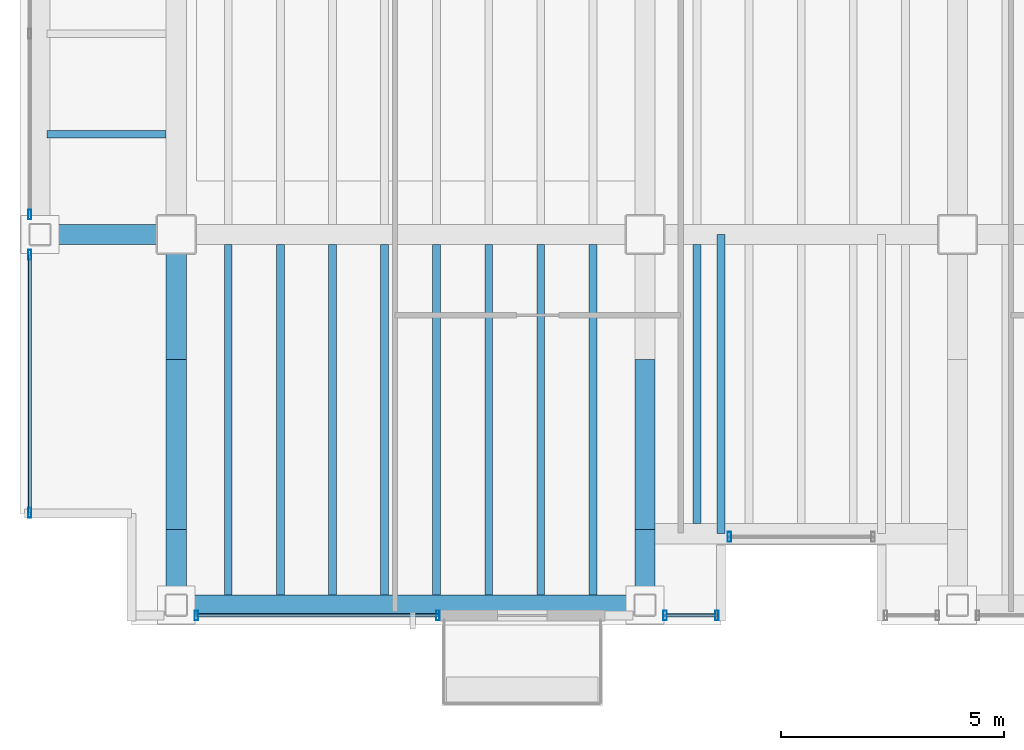
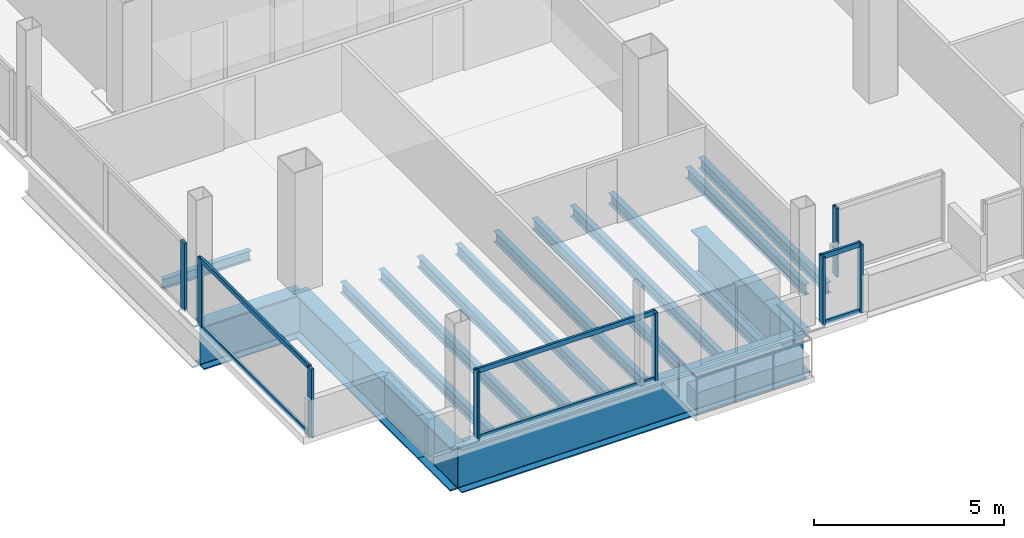
# One storey, part 2 of 17: 18 beams, 14 members, 5 elements without a shape of their own.
"""IFC4 building model written with IfcOpenShell, lengths in metres."""

import ifcopenshell
import ifcopenshell.guid

model = None  # the IFC model being written
_history = None  # IfcOwnerHistory: only IFC2X3 demands one
_inside = {}  # id of a spatial element -> (the spatial element, [elements in it])
_under = {}  # id of a project, library or spatial element -> (it, [spatial elements below it])
_declared = {}  # id of a project -> (the project, [libraries it declares])
_typed = {}  # id of a type object -> (the type object, [elements of that type])
_made_of = {}  # id of a material, layer set ... -> (it, [elements and type objects made of it])


def new_model(schema):
    """Start an empty IFC model of exactly this schema.

    Asked for "IFC4X3", IfcOpenShell would pick the latest addendum, in which some entities
    have other attributes; the version numbers below select the first issue.
    IFC2X3 requires an IfcOwnerHistory on every rooted entity: one is made here for all.
    """
    global model, _history
    if schema == "IFC4X3":
        model = ifcopenshell.file(schema_version=(4, 3, 0, 0))
    else:
        model = ifcopenshell.file(schema=schema)
    _inside.clear()
    _under.clear()
    _declared.clear()
    _typed.clear()
    _made_of.clear()
    _history = None
    if model.schema == "IFC2X3":
        org = make("IfcOrganization", Name="unknown")
        user = make(
            "IfcPersonAndOrganization",
            ThePerson=make("IfcPerson", FamilyName="unknown"),
            TheOrganization=org,
        )
        app = make(
            "IfcApplication",
            ApplicationDeveloper=org,
            Version="unknown",
            ApplicationFullName="unknown",
            ApplicationIdentifier="unknown",
        )
        _history = make(
            "IfcOwnerHistory",
            OwningUser=user,
            OwningApplication=app,
            ChangeAction="ADDED",
            CreationDate=0,
        )
    return model


def make(cls, **values):
    """One entity of the class cls with the attributes given. An attribute that is None is left unset."""
    return model.create_entity(
        cls, **{name: value for name, value in values.items() if value is not None}
    )


def rooted(cls, **values):
    """An entity with a GlobalId (a new one), such as an element, a storey or a relation."""
    return make(cls, GlobalId=ifcopenshell.guid.new(), OwnerHistory=_history, **values)


def si_unit(unit_type, name, prefix=None):
    """IfcSIUnit, for example si_unit("LENGTHUNIT", "METRE", prefix="MILLI")."""
    return make("IfcSIUnit", UnitType=unit_type, Prefix=prefix, Name=name)


def assignment(units):
    """IfcUnitAssignment: the units of a project."""
    return None if units is None else make("IfcUnitAssignment", Units=units)


def point(xyz):
    """IfcCartesianPoint."""
    return None if xyz is None else make("IfcCartesianPoint", Coordinates=xyz)


def direction(xyz):
    """IfcDirection."""
    return None if xyz is None else make("IfcDirection", DirectionRatios=xyz)


def frame(location, z_axis=None, x_axis=None):
    """IfcAxis2Placement3D, a coordinate frame: its origin and axes. An axis left out is left unset."""
    return make(
        "IfcAxis2Placement3D",
        Location=point(location),
        Axis=direction(z_axis),
        RefDirection=direction(x_axis),
    )


def frame_2d(location, x_axis=None):
    """IfcAxis2Placement2D, a coordinate frame in the plane: its origin and x axis."""
    return make(
        "IfcAxis2Placement2D", Location=point(location), RefDirection=direction(x_axis)
    )


def origin():
    """The frame at (0, 0, 0) with its axes left unset."""
    return frame((0.0, 0.0, 0.0))


def origin_2d():
    """The frame at (0, 0) in the plane with its x axis left unset."""
    return frame_2d((0.0, 0.0))


def place(relative_to, where):
    """IfcLocalPlacement: puts the frame where relative to a parent placement (None: the world)."""
    return make(
        "IfcLocalPlacement", PlacementRelTo=relative_to, RelativePlacement=where
    )


def context(
    kind, dimensions, precision=None, world=None, true_north=None, identifier=None
):
    """IfcGeometricRepresentationContext, for example the 3D "Model" context."""
    return make(
        "IfcGeometricRepresentationContext",
        ContextIdentifier=identifier,
        ContextType=kind,
        CoordinateSpaceDimension=dimensions,
        Precision=precision,
        WorldCoordinateSystem=world,
        TrueNorth=true_north,
    )


def subcontext(parent, identifier, kind, view, scale=None):
    """IfcGeometricRepresentationSubContext, for example "Body" below "Model"."""
    return make(
        "IfcGeometricRepresentationSubContext",
        ContextIdentifier=identifier,
        ContextType=kind,
        ParentContext=parent,
        TargetScale=scale,
        TargetView=view,
    )


def project(units=None, contexts=None):
    """IfcProject with its units and contexts."""
    return rooted(
        "IfcProject",
        Name="project",
        RepresentationContexts=contexts,
        UnitsInContext=assignment(units),
    )


def spatial(cls, under=None, at=None, **own):
    """A site, building, storey or space (cls), placed at a placement, below another one or the project."""
    s = rooted(cls, ObjectPlacement=at, **own)
    if under is not None:
        _under.setdefault(under.id(), (under, []))[1].append(s)
    return s


def profile(cls, at=None, kind="AREA", **sizes):
    """A parametric profile (cls). Its sizes go by their IFC names, for example OverallWidth=200.0."""
    return make(cls, ProfileType=kind, Position=at, **sizes)


def hollow_rectangle(**sizes):
    """IfcRectangleHollowProfileDef."""
    return profile("IfcRectangleHollowProfileDef", **sizes)


def i_section(**sizes):
    """IfcIShapeProfileDef."""
    return profile("IfcIShapeProfileDef", **sizes)


def extrude(swept, where, along, depth):
    """IfcExtrudedAreaSolid: the profile swept, set in the frame where, extruded along a direction by depth."""
    return make(
        "IfcExtrudedAreaSolid",
        SweptArea=swept,
        Position=where,
        ExtrudedDirection=direction(along),
        Depth=depth,
    )


def shape(context_of_items, identifier, shape_type, items):
    """IfcShapeRepresentation: the items that make up one representation, for example the "Body"."""
    return make(
        "IfcShapeRepresentation",
        ContextOfItems=context_of_items,
        RepresentationIdentifier=identifier,
        RepresentationType=shape_type,
        Items=items,
    )


def material(Name=None, Category=None):
    """IfcMaterial."""
    return make("IfcMaterial", Name=Name, Category=Category)


def material_profile(
    of_material, cross_section, Name=None, Category=None, Priority=None
):
    """IfcMaterialProfile: a cross section and its material."""
    return make(
        "IfcMaterialProfile",
        Name=Name,
        Material=of_material,
        Profile=cross_section,
        Priority=Priority,
        Category=Category,
    )


def profile_set(profiles, Name=None, composite=None):
    """IfcMaterialProfileSet."""
    return make(
        "IfcMaterialProfileSet",
        Name=Name,
        MaterialProfiles=profiles,
        CompositeProfile=composite,
    )


def made_of(thing, what):
    """Note that an element or type object is made of a material, layer set ...; save() writes the relation."""
    if what is not None:
        _made_of.setdefault(what.id(), (what, []))[1].append(thing)
    return thing


def type_object(cls, material=None, **own):
    """A type object (cls), such as IfcWallType, which elements share."""
    return made_of(rooted(cls, **own), material)


def element(
    cls,
    number,
    at=None,
    inside=None,
    cuts=None,
    type_object=None,
    material=None,
    context=None,
    identifier="Body",
    shape_type=None,
    held_by="IfcProductDefinitionShape",
    body=None,
    shapes=None,
    **own,
):
    """One element of the class cls, such as IfcWall. Its Tag is "e" and its number.

    at: its placement. inside: the storey or other place that contains it. cuts: it is an
    opening in that element (IfcRelVoidsElement). A single representation is given by context,
    identifier, shape_type and body (its items); several are given by shapes. held_by: the class
    of the entity that holds the representations. save() writes the other relations.
    """
    e = rooted(cls, Tag="e%d" % number, ObjectPlacement=at, **own)
    if body is not None:
        shapes = [shape(context, identifier, shape_type, body)]
    if shapes is not None:
        e.Representation = make(held_by, Representations=shapes)
    if inside is not None:
        _inside.setdefault(inside.id(), (inside, []))[1].append(e)
    if cuts is not None:
        rooted(
            "IfcRelVoidsElement", RelatingBuildingElement=cuts, RelatedOpeningElement=e
        )
    if type_object is not None:
        _typed.setdefault(type_object.id(), (type_object, []))[1].append(e)
    return made_of(e, material)


def aggregate(whole, parts):
    """IfcRelAggregates: a whole, such as a stair, and the parts it consists of."""
    return rooted("IfcRelAggregates", RelatingObject=whole, RelatedObjects=parts)


def save(model, path):
    """Write the relations noted so far, then the file.

    IfcRelAggregates (storeys below a building ...), IfcRelContainedInSpatialStructure (elements
    in a storey), IfcRelDefinesByType, IfcRelAssociatesMaterial and IfcRelDeclares: one each for
    every whole, place, type object, material and project.
    """
    for whole, parts in _under.values():
        aggregate(whole, parts)
    for where, things in _inside.values():
        rooted(
            "IfcRelContainedInSpatialStructure",
            RelatedElements=things,
            RelatingStructure=where,
        )
    for kind, things in _typed.values():
        rooted("IfcRelDefinesByType", RelatedObjects=things, RelatingType=kind)
    for what, things in _made_of.values():
        rooted("IfcRelAssociatesMaterial", RelatedObjects=things, RelatingMaterial=what)
    for by, libraries in _declared.values():
        rooted("IfcRelDeclares", RelatingContext=by, RelatedDefinitions=libraries)
    model.write(path)


model = new_model("IFC4")

# Units and contexts
model_context = context("Model", 3, precision=1e-05, world=origin(), true_north=direction((0.0, 1.0)))
body_context = subcontext(model_context, "Body", "Model", "MODEL_VIEW")
ifc_project = project(units=[si_unit("LENGTHUNIT", "METRE"), si_unit("AREAUNIT", "SQUARE_METRE"), si_unit("VOLUMEUNIT", "CUBIC_METRE"), si_unit("PLANEANGLEUNIT", "RADIAN"), si_unit("MASSUNIT", "GRAM", prefix="KILO")], contexts=[model_context])

# Site, building, storey
site_placement = place(None, origin())
site = spatial("IfcSite", under=ifc_project, at=site_placement, CompositionType="ELEMENT")
building_placement = place(site_placement, origin())
building = spatial("IfcBuilding", under=site, at=building_placement, Name="Noeulbin Bourse Tower", CompositionType="ELEMENT")
storey_placement = place(building_placement, frame((0.0, 0.0, 196.800048828125)))
storey = spatial("IfcBuildingStorey", under=building, at=storey_placement, Name="L49", CompositionType="ELEMENT", Elevation=196.800048828125)

# Beams
ifc_material_1 = material(Name="Steel S355", Category="steel")
ifc_material_profile_1 = material_profile(ifc_material_1, i_section(OverallWidth=0.159912109375, OverallDepth=0.320068359375, WebThickness=0.006591796875, FlangeThickness=0.010009765625, FilletRadius=0.012939453125, at=origin_2d()), Name="H-320x160x6.5x10", Category="LoadBearing")
ifc_profile_set_1 = profile_set([ifc_material_profile_1], Name="Steel S355")
beam_type_1 = type_object("IfcBeamType", Name="BM-JST-320", PredefinedType="JOIST", material=ifc_profile_set_1)
beam_1_placement = place(storey_placement, frame((10.60009765625, 22.25, -0.400146484375), z_axis=(1.0, 0.0, 0.0), x_axis=(0.0, 1.0, 0.0)))
element("IfcBeam", 1, at=beam_1_placement, inside=storey, type_object=beam_type_1, Name="Wing Composite Joist L49-W47", PredefinedType="JOIST", context=body_context, shape_type="SweptSolid", body=[
    extrude(i_section(OverallWidth=0.159912109375, OverallDepth=0.320068359375, WebThickness=0.006591796875, FlangeThickness=0.010009765625, FilletRadius=0.012939453125, at=origin_2d()), origin(), (0.0, 0.0, 1.0), 2.6748046875),
])
ifc_material_profile_2 = material_profile(ifc_material_1, i_section(OverallWidth=0.175048828125, OverallDepth=0.35009765625, WebThickness=0.007080078125, FlangeThickness=0.010986328125, FilletRadius=0.013916015625, at=origin_2d()), Name="H-350x175x7x11", Category="LoadBearing")
ifc_profile_set_2 = profile_set([ifc_material_profile_2], Name="Steel S355")
beam_type_2 = type_object("IfcBeamType", Name="BM-JST-350", PredefinedType="JOIST", material=ifc_profile_set_2)
beam_2_placement = place(storey_placement, frame((25.699951171875, 13.300048828125, -0.4150390625), z_axis=(0.0, 1.0, 0.0), x_axis=(-1.0, 0.0, 0.0)))
element("IfcBeam", 2, at=beam_2_placement, inside=storey, type_object=beam_type_2, Name="BM-L49-SRT-W", PredefinedType="JOIST", context=body_context, shape_type="SweptSolid", body=[
    extrude(i_section(OverallWidth=0.175048828125, OverallDepth=0.35009765625, WebThickness=0.007080078125, FlangeThickness=0.010986328125, FilletRadius=0.013916015625, at=origin_2d()), origin(), (0.0, 0.0, 1.0), 6.699951171875),
])
for number, where, z_axis, x_axis, name in (
    (3, (14.666748046875, 11.925048828125, -0.4150390625), (0.0, 1.0, 0.0), (-1.0, 0.0, 0.0), "Tower Composite Joist L49-01"),
    (4, (15.833251953125, 11.925048828125, -0.4150390625), (0.0, 1.0, 0.0), (-1.0, 0.0, 0.0), "Tower Composite Joist L49-03"),
    (5, (17.0, 11.925048828125, -0.4150390625), (0.0, 1.0, 0.0), (-1.0, 0.0, 0.0), "Tower Composite Joist L49-05"),
    (6, (18.166748046875, 11.925048828125, -0.4150390625), (0.0, 1.0, 0.0), (-1.0, 0.0, 0.0), "Tower Composite Joist L49-07"),
    (7, (19.333251953125, 11.925048828125, -0.4150390625), (0.0, 1.0, 0.0), (-1.0, 0.0, 0.0), "Tower Composite Joist L49-09"),
    (8, (20.5, 11.925048828125, -0.4150390625), (0.0, 1.0, 0.0), (-1.0, 0.0, 0.0), "Tower Composite Joist L49-11"),
    (9, (21.666748046875, 11.925048828125, -0.4150390625), (0.0, 1.0, 0.0), (-1.0, 0.0, 0.0), "Tower Composite Joist L49-13"),
    (10, (22.833251953125, 11.925048828125, -0.4150390625), (0.0, 1.0, 0.0), (-1.0, 0.0, 0.0), "Tower Composite Joist L49-15"),
):
    element("IfcBeam", number, at=place(storey_placement, frame(where, z_axis=z_axis, x_axis=x_axis)), inside=storey, type_object=beam_type_2, Name=name, PredefinedType="JOIST", context=body_context, shape_type="SweptSolid", body=[
        extrude(i_section(OverallWidth=0.175048828125, OverallDepth=0.35009765625, WebThickness=0.007080078125, FlangeThickness=0.010986328125, FilletRadius=0.013916015625, at=origin_2d()), origin(), (0.0, 0.0, 1.0), 7.849853515625),
    ])
beam_3_placement = place(storey_placement, frame((25.166748046875, 13.52490234375, -0.4150390625), z_axis=(0.0, 1.0, 0.0), x_axis=(-1.0, 0.0, 0.0)))
element("IfcBeam", 11, at=beam_3_placement, inside=storey, type_object=beam_type_2, Name="Tower Composite Joist L49-17", PredefinedType="JOIST", context=body_context, shape_type="SweptSolid", body=[
    extrude(i_section(OverallWidth=0.175048828125, OverallDepth=0.35009765625, WebThickness=0.007080078125, FlangeThickness=0.010986328125, FilletRadius=0.013916015625, at=origin_2d()), origin(), (0.0, 0.0, 1.0), 6.25),
])
ifc_material_2 = material(Name="Steel S460", Category="steel")
ifc_material_profile_3 = material_profile(ifc_material_2, i_section(OverallWidth=0.449951171875, OverallDepth=1.39990234375, WebThickness=0.02392578125, FlangeThickness=0.0400390625, FilletRadius=0.02392578125, at=origin_2d()), Name="PG-1400x450x24x40", Category="LoadBearing")
ifc_profile_set_3 = profile_set([ifc_material_profile_3], Name="Steel S460")
beam_type_3 = type_object("IfcBeamType", Name="BM-TRF-1400", PredefinedType="USERDEFINED", material=ifc_profile_set_3)
beam_4_placement = place(storey_placement, frame((10.449951171875, 20.0, -0.93994140625), z_axis=(1.0, 0.0, 0.0), x_axis=(0.0, 1.0, 0.0)))
element("IfcBeam", 12, at=beam_4_placement, inside=storey, type_object=beam_type_3, Name="Tower Primary Girder EW L49-1.1", ObjectType="GIRDER", PredefinedType="USERDEFINED", context=body_context, shape_type="SweptSolid", body=[
    extrude(i_section(OverallWidth=0.449951171875, OverallDepth=1.39990234375, WebThickness=0.02392578125, FlangeThickness=0.0400390625, FilletRadius=0.02392578125, at=origin_2d()), origin(), (0.0, 0.0, 1.0), 3.050048828125),
])
beam_5_placement = place(storey_placement, frame((13.5, 11.699951171875, -0.93994140625), z_axis=(0.0, 1.0, 0.0), x_axis=(-1.0, 0.0, 0.0)))
element("IfcBeam", 13, at=beam_5_placement, inside=storey, type_object=beam_type_3, Name="Tower Primary Girder NS L49-1.1", ObjectType="GIRDER", PredefinedType="USERDEFINED", context=body_context, shape_type="SweptSolid", body=[
    extrude(i_section(OverallWidth=0.449951171875, OverallDepth=1.39990234375, WebThickness=0.02392578125, FlangeThickness=0.0400390625, FilletRadius=0.02392578125, at=origin_2d()), origin(), (0.0, 0.0, 1.0), 1.699951171875),
])
beam_6_placement = place(storey_placement, frame((13.5, 13.39990234375, -0.93994140625), z_axis=(0.0, 1.0, 0.0), x_axis=(-1.0, 0.0, 0.0)))
element("IfcBeam", 14, at=beam_6_placement, inside=storey, type_object=beam_type_3, Name="Tower Primary Girder NS L49-1.2", ObjectType="GIRDER", PredefinedType="USERDEFINED", context=body_context, shape_type="SweptSolid", body=[
    extrude(i_section(OverallWidth=0.449951171875, OverallDepth=1.39990234375, WebThickness=0.02392578125, FlangeThickness=0.0400390625, FilletRadius=0.02392578125, at=origin_2d()), origin(), (0.0, 0.0, 1.0), 3.800048828125),
])
beam_7_placement = place(storey_placement, frame((13.5, 17.199951171875, -0.93994140625), z_axis=(0.0, 1.0, 0.0), x_axis=(-1.0, 0.0, 0.0)))
element("IfcBeam", 15, at=beam_7_placement, inside=storey, type_object=beam_type_3, Name="Tower Primary Girder NS L49-1.3", ObjectType="GIRDER", PredefinedType="USERDEFINED", context=body_context, shape_type="SweptSolid", body=[
    extrude(i_section(OverallWidth=0.449951171875, OverallDepth=1.39990234375, WebThickness=0.02392578125, FlangeThickness=0.0400390625, FilletRadius=0.02392578125, at=origin_2d()), origin(), (0.0, 0.0, 1.0), 2.800048828125),
])
beam_8_placement = place(storey_placement, frame((24.0, 11.699951171875, -0.93994140625), z_axis=(0.0, 1.0, 0.0), x_axis=(-1.0, 0.0, 0.0)))
element("IfcBeam", 16, at=beam_8_placement, inside=storey, type_object=beam_type_3, Name="Tower Primary Girder NS L49-2.1", ObjectType="GIRDER", PredefinedType="USERDEFINED", context=body_context, shape_type="SweptSolid", body=[
    extrude(i_section(OverallWidth=0.449951171875, OverallDepth=1.39990234375, WebThickness=0.02392578125, FlangeThickness=0.0400390625, FilletRadius=0.02392578125, at=origin_2d()), origin(), (0.0, 0.0, 1.0), 1.699951171875),
])
beam_9_placement = place(storey_placement, frame((24.0, 13.39990234375, -0.93994140625), z_axis=(0.0, 1.0, 0.0), x_axis=(-1.0, 0.0, 0.0)))
element("IfcBeam", 17, at=beam_9_placement, inside=storey, type_object=beam_type_3, Name="Tower Primary Girder NS L49-2.2", ObjectType="GIRDER", PredefinedType="USERDEFINED", context=body_context, shape_type="SweptSolid", body=[
    extrude(i_section(OverallWidth=0.449951171875, OverallDepth=1.39990234375, WebThickness=0.02392578125, FlangeThickness=0.0400390625, FilletRadius=0.02392578125, at=origin_2d()), origin(), (0.0, 0.0, 1.0), 3.800048828125),
])
beam_10_placement = place(storey_placement, frame((13.5, 11.699951171875, -0.93994140625), z_axis=(1.0, 0.0, 0.0), x_axis=(0.0, 1.0, 0.0)))
element("IfcBeam", 18, at=beam_10_placement, inside=storey, type_object=beam_type_3, Name="South Spandrel L49-1", ObjectType="GIRDER", PredefinedType="USERDEFINED", context=body_context, shape_type="SweptSolid", body=[
    extrude(i_section(OverallWidth=0.449951171875, OverallDepth=1.39990234375, WebThickness=0.02392578125, FlangeThickness=0.0400390625, FilletRadius=0.02392578125, at=origin_2d()), origin(), (0.0, 0.0, 1.0), 10.5),
])

# Curtain wall, member
ifc_material_3 = material(Name="Dark Tinted Triple Glazing", Category="glass")
curtain_wall_type = type_object("IfcCurtainWallType", Name="CW-SYS-3", PredefinedType="NOTDEFINED", material=ifc_material_3)
curtain_wall_1_placement = place(storey_placement, origin())
curtain_wall_1 = element("IfcCurtainWall", 19, at=curtain_wall_1_placement, inside=storey, type_object=curtain_wall_type, Name="Unitised Curtain Wall CW-L49-SREC", PredefinedType="NOTDEFINED")
ifc_material_4 = material(Name="Anodised Aluminium 6063-T6", Category="aluminium")
ifc_material_profile_4 = material_profile(ifc_material_4, hollow_rectangle(XDim=0.074951171875, YDim=0.219970703125, WallThickness=0.0048828125, InnerFilletRadius=0.00244140625, OuterFilletRadius=0.0048828125, at=origin_2d()), Name="ALU-MULL-75x220x5", Category="LoadBearing")
ifc_profile_set_4 = profile_set([ifc_material_profile_4], Name="Anodised Aluminium 6063-T6")
member_type_1 = type_object("IfcMemberType", Name="CW-SYS-3-MUL", PredefinedType="MULLION", material=ifc_profile_set_4)
member_1_placement = place(storey_placement, frame((25.889892578125, 13.22998046875, -0.02001953125), z_axis=(0.0, 0.0, 1.0), x_axis=(1.0, 0.0, 0.0)))
member_1 = element("IfcMember", 20, at=member_1_placement, type_object=member_type_1, Name="Curtain Wall Mullion CW-L49-SREC-M00", PredefinedType="MULLION", context=body_context, shape_type="SweptSolid", body=[
    extrude(hollow_rectangle(XDim=0.074951171875, YDim=0.219970703125, WallThickness=0.0048828125, InnerFilletRadius=0.00244140625, OuterFilletRadius=0.0048828125, at=origin_2d()), origin(), (0.0, 0.0, 1.0), 2.199951171875),
])
aggregate(curtain_wall_1, [member_1])

# Curtain wall, members
curtain_wall_2_placement = place(storey_placement, origin())
curtain_wall_2 = element("IfcCurtainWall", 21, at=curtain_wall_2_placement, inside=storey, type_object=curtain_wall_type, Name="Unitised Curtain Wall CW-L49-S1", PredefinedType="NOTDEFINED")
member_2_placement = place(storey_placement, frame((13.949951171875, 11.469970703125, -0.02001953125), z_axis=(0.0, 0.0, 1.0), x_axis=(1.0, 0.0, 0.0)))
member_2 = element("IfcMember", 22, at=member_2_placement, type_object=member_type_1, Name="Curtain Wall Mullion CW-L49-S1-M00", PredefinedType="MULLION", context=body_context, shape_type="SweptSolid", body=[
    extrude(hollow_rectangle(XDim=0.074951171875, YDim=0.219970703125, WallThickness=0.0048828125, InnerFilletRadius=0.00244140625, OuterFilletRadius=0.0048828125, at=origin_2d()), origin(), (0.0, 0.0, 1.0), 2.199951171875),
])
member_3_placement = place(storey_placement, frame((19.360107421875, 11.469970703125, -0.02001953125), z_axis=(0.0, 0.0, 1.0), x_axis=(1.0, 0.0, 0.0)))
member_3 = element("IfcMember", 23, at=member_3_placement, type_object=member_type_1, Name="Curtain Wall Mullion CW-L49-S1-M01", PredefinedType="MULLION", context=body_context, shape_type="SweptSolid", body=[
    extrude(hollow_rectangle(XDim=0.074951171875, YDim=0.219970703125, WallThickness=0.0048828125, InnerFilletRadius=0.00244140625, OuterFilletRadius=0.0048828125, at=origin_2d()), origin(), (0.0, 0.0, 1.0), 2.199951171875),
])

curtain_wall_3_placement = place(storey_placement, origin())
curtain_wall_3 = element("IfcCurtainWall", 24, at=curtain_wall_3_placement, inside=storey, type_object=curtain_wall_type, Name="Unitised Curtain Wall CW-L49-S2", PredefinedType="NOTDEFINED")
member_4_placement = place(storey_placement, frame((24.449951171875, 11.469970703125, -0.02001953125), z_axis=(0.0, 0.0, 1.0), x_axis=(1.0, 0.0, 0.0)))
member_4 = element("IfcMember", 25, at=member_4_placement, type_object=member_type_1, Name="Curtain Wall Mullion CW-L49-S2-M00", PredefinedType="MULLION", context=body_context, shape_type="SweptSolid", body=[
    extrude(hollow_rectangle(XDim=0.074951171875, YDim=0.219970703125, WallThickness=0.0048828125, InnerFilletRadius=0.00244140625, OuterFilletRadius=0.0048828125, at=origin_2d()), origin(), (0.0, 0.0, 1.0), 2.199951171875),
])
member_5_placement = place(storey_placement, frame((25.610107421875, 11.469970703125, -0.02001953125), z_axis=(0.0, 0.0, 1.0), x_axis=(1.0, 0.0, 0.0)))
member_5 = element("IfcMember", 26, at=member_5_placement, type_object=member_type_1, Name="Curtain Wall Mullion CW-L49-S2-M01", PredefinedType="MULLION", context=body_context, shape_type="SweptSolid", body=[
    extrude(hollow_rectangle(XDim=0.074951171875, YDim=0.219970703125, WallThickness=0.0048828125, InnerFilletRadius=0.00244140625, OuterFilletRadius=0.0048828125, at=origin_2d()), origin(), (0.0, 0.0, 1.0), 2.199951171875),
])

curtain_wall_4_placement = place(storey_placement, origin())
curtain_wall_4 = element("IfcCurtainWall", 27, at=curtain_wall_4_placement, inside=storey, type_object=curtain_wall_type, Name="Unitised Curtain Wall CW-L49-W-S1", PredefinedType="NOTDEFINED")
member_6_placement = place(storey_placement, frame((10.219970703125, 13.77001953125, -0.02001953125), z_axis=(0.0, 0.0, 1.0), x_axis=(1.0, 0.0, 0.0)))
member_6 = element("IfcMember", 28, at=member_6_placement, type_object=member_type_1, Name="Curtain Wall Mullion CW-L49-W-S1-M00", PredefinedType="MULLION", context=body_context, shape_type="SweptSolid", body=[
    extrude(hollow_rectangle(XDim=0.074951171875, YDim=0.219970703125, WallThickness=0.0048828125, InnerFilletRadius=0.00244140625, OuterFilletRadius=0.0048828125, at=origin_2d()), origin(), (0.0, 0.0, 1.0), 2.199951171875),
])
member_7_placement = place(storey_placement, frame((10.219970703125, 19.550048828125, -0.02001953125), z_axis=(0.0, 0.0, 1.0), x_axis=(1.0, 0.0, 0.0)))
member_7 = element("IfcMember", 29, at=member_7_placement, type_object=member_type_1, Name="Curtain Wall Mullion CW-L49-W-S1-M01", PredefinedType="MULLION", context=body_context, shape_type="SweptSolid", body=[
    extrude(hollow_rectangle(XDim=0.074951171875, YDim=0.219970703125, WallThickness=0.0048828125, InnerFilletRadius=0.00244140625, OuterFilletRadius=0.0048828125, at=origin_2d()), origin(), (0.0, 0.0, 1.0), 2.199951171875),
])

# Curtain wall, member
curtain_wall_5_placement = place(storey_placement, origin())
curtain_wall_5 = element("IfcCurtainWall", 30, at=curtain_wall_5_placement, inside=storey, type_object=curtain_wall_type, Name="Unitised Curtain Wall CW-L49-W-S2", PredefinedType="NOTDEFINED")
member_8_placement = place(storey_placement, frame((10.219970703125, 20.449951171875, -0.02001953125), z_axis=(0.0, 0.0, 1.0), x_axis=(1.0, 0.0, 0.0)))
member_8 = element("IfcMember", 31, at=member_8_placement, type_object=member_type_1, Name="Curtain Wall Mullion CW-L49-W-S2-M00", PredefinedType="MULLION", context=body_context, shape_type="SweptSolid", body=[
    extrude(hollow_rectangle(XDim=0.074951171875, YDim=0.219970703125, WallThickness=0.0048828125, InnerFilletRadius=0.00244140625, OuterFilletRadius=0.0048828125, at=origin_2d()), origin(), (0.0, 0.0, 1.0), 2.199951171875),
])
aggregate(curtain_wall_5, [member_8])

# Member
ifc_material_profile_5 = material_profile(ifc_material_4, hollow_rectangle(XDim=0.074951171875, YDim=0.159912109375, WallThickness=0.0048828125, InnerFilletRadius=0.00244140625, OuterFilletRadius=0.0048828125, at=origin_2d()), Name="ALU-TRAN-75x160x5", Category="LoadBearing")
ifc_profile_set_5 = profile_set([ifc_material_profile_5], Name="Anodised Aluminium 6063-T6")
member_type_2 = type_object("IfcMemberType", Name="CW-SYS-3-TRN", PredefinedType="USERDEFINED", material=ifc_profile_set_5)
member_9_placement = place(storey_placement, frame((13.9599609375, 11.469970703125, 0.010009765625), z_axis=(1.0, 0.0, 0.0), x_axis=(0.0, 1.0, 0.0)))
member_9 = element("IfcMember", 32, at=member_9_placement, type_object=member_type_2, Name="Curtain Wall Transom CW-L49-S1-T00", ObjectType="TRANSOM", PredefinedType="USERDEFINED", context=body_context, shape_type="SweptSolid", body=[
    extrude(hollow_rectangle(XDim=0.074951171875, YDim=0.159912109375, WallThickness=0.0048828125, InnerFilletRadius=0.00244140625, OuterFilletRadius=0.0048828125, at=origin_2d()), origin(), (0.0, 0.0, 1.0), 5.39013671875),
])

member_10_placement = place(storey_placement, frame((13.9599609375, 11.469970703125, 2.14990234375), z_axis=(1.0, 0.0, 0.0), x_axis=(0.0, 1.0, 0.0)))
member_10 = element("IfcMember", 33, at=member_10_placement, type_object=member_type_2, Name="Curtain Wall Transom CW-L49-S1-T01", ObjectType="TRANSOM", PredefinedType="USERDEFINED", context=body_context, shape_type="SweptSolid", body=[
    extrude(hollow_rectangle(XDim=0.074951171875, YDim=0.159912109375, WallThickness=0.0048828125, InnerFilletRadius=0.00244140625, OuterFilletRadius=0.0048828125, at=origin_2d()), origin(), (0.0, 0.0, 1.0), 5.39013671875),
])

aggregate(curtain_wall_2, [member_2, member_3, member_9, member_10])

member_11_placement = place(storey_placement, frame((24.4599609375, 11.469970703125, 0.010009765625), z_axis=(1.0, 0.0, 0.0), x_axis=(0.0, 1.0, 0.0)))
member_11 = element("IfcMember", 34, at=member_11_placement, type_object=member_type_2, Name="Curtain Wall Transom CW-L49-S2-T00", ObjectType="TRANSOM", PredefinedType="USERDEFINED", context=body_context, shape_type="SweptSolid", body=[
    extrude(hollow_rectangle(XDim=0.074951171875, YDim=0.159912109375, WallThickness=0.0048828125, InnerFilletRadius=0.00244140625, OuterFilletRadius=0.0048828125, at=origin_2d()), origin(), (0.0, 0.0, 1.0), 1.14013671875),
])

member_12_placement = place(storey_placement, frame((24.4599609375, 11.469970703125, 2.14990234375), z_axis=(1.0, 0.0, 0.0), x_axis=(0.0, 1.0, 0.0)))
member_12 = element("IfcMember", 35, at=member_12_placement, type_object=member_type_2, Name="Curtain Wall Transom CW-L49-S2-T01", ObjectType="TRANSOM", PredefinedType="USERDEFINED", context=body_context, shape_type="SweptSolid", body=[
    extrude(hollow_rectangle(XDim=0.074951171875, YDim=0.159912109375, WallThickness=0.0048828125, InnerFilletRadius=0.00244140625, OuterFilletRadius=0.0048828125, at=origin_2d()), origin(), (0.0, 0.0, 1.0), 1.14013671875),
])

aggregate(curtain_wall_3, [member_4, member_5, member_11, member_12])

member_13_placement = place(storey_placement, frame((10.219970703125, 13.780029296875, 0.010009765625), z_axis=(0.0, 1.0, 0.0), x_axis=(-1.0, 0.0, 0.0)))
member_13 = element("IfcMember", 36, at=member_13_placement, type_object=member_type_2, Name="Curtain Wall Transom CW-L49-W-S1-T00", ObjectType="TRANSOM", PredefinedType="USERDEFINED", context=body_context, shape_type="SweptSolid", body=[
    extrude(hollow_rectangle(XDim=0.074951171875, YDim=0.159912109375, WallThickness=0.0048828125, InnerFilletRadius=0.00244140625, OuterFilletRadius=0.0048828125, at=origin_2d()), origin(), (0.0, 0.0, 1.0), 5.760009765625),
])

member_14_placement = place(storey_placement, frame((10.219970703125, 13.780029296875, 2.14990234375), z_axis=(0.0, 1.0, 0.0), x_axis=(-1.0, 0.0, 0.0)))
member_14 = element("IfcMember", 37, at=member_14_placement, type_object=member_type_2, Name="Curtain Wall Transom CW-L49-W-S1-T01", ObjectType="TRANSOM", PredefinedType="USERDEFINED", context=body_context, shape_type="SweptSolid", body=[
    extrude(hollow_rectangle(XDim=0.074951171875, YDim=0.159912109375, WallThickness=0.0048828125, InnerFilletRadius=0.00244140625, OuterFilletRadius=0.0048828125, at=origin_2d()), origin(), (0.0, 0.0, 1.0), 5.760009765625),
])

aggregate(curtain_wall_4, [member_6, member_7, member_13, member_14])

save(model, "model.ifc")
